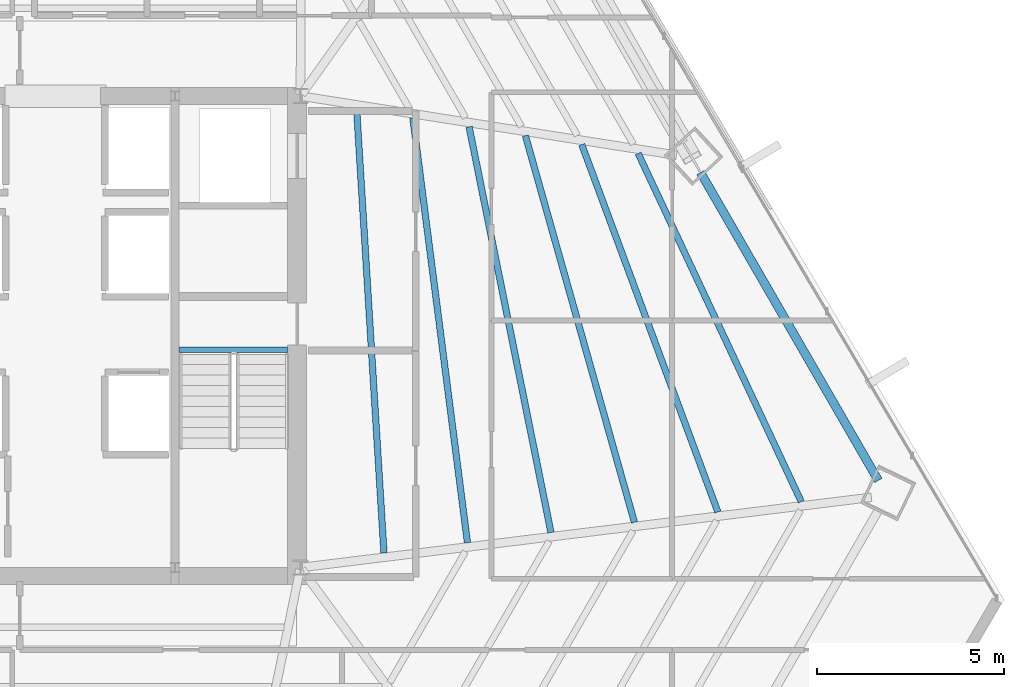
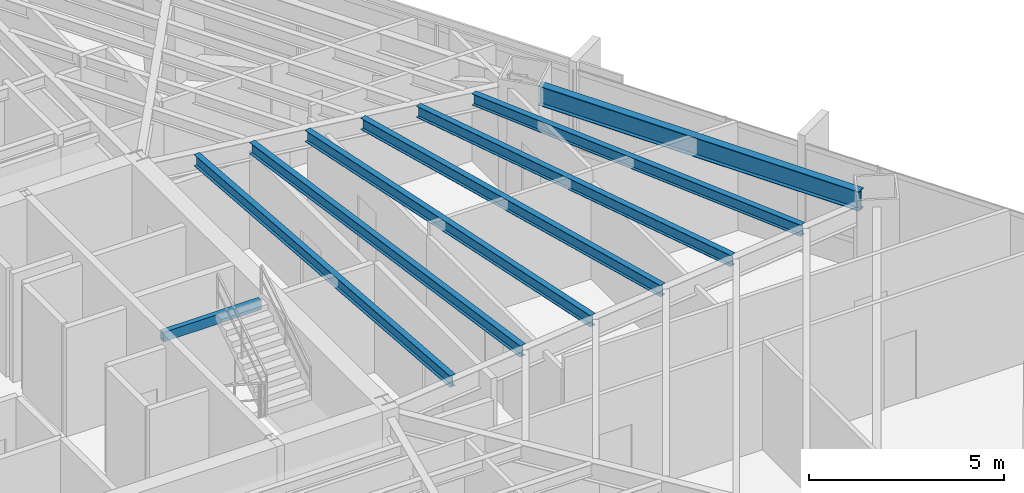
# One storey, part 21 of 35: 8 beams.
"""IFC4 building model written with IfcOpenShell, lengths in metres."""

from ifc_helpers import new_model, si_unit, direction, frame, origin, origin_2d, place, context, subcontext, project, spatial, hollow_rectangle, i_section, extrude, source, transform, mapped, material, material_profile, profile_set, type_object, type_shapes, element, save


model = new_model("IFC4")

# Units and contexts
model_context = context("Model", 3, precision=1e-05, world=origin(), true_north=direction((0.0, 1.0)))
body_context = subcontext(model_context, "Body", "Model", "MODEL_VIEW")
ifc_project = project(units=[si_unit("LENGTHUNIT", "METRE"), si_unit("AREAUNIT", "SQUARE_METRE"), si_unit("VOLUMEUNIT", "CUBIC_METRE"), si_unit("PLANEANGLEUNIT", "RADIAN"), si_unit("MASSUNIT", "GRAM", prefix="KILO")], contexts=[model_context])

# Site, building, storey
site_placement = place(None, origin())
site = spatial("IfcSite", under=ifc_project, at=site_placement, CompositionType="ELEMENT")
building_placement = place(site_placement, origin())
building = spatial("IfcBuilding", under=site, at=building_placement, Name="Caelisora Broadcast Tower", CompositionType="ELEMENT")
storey_placement = place(building_placement, frame((0.0, 0.0, 98.10009765625)))
storey = spatial("IfcBuildingStorey", under=building, at=storey_placement, Name="L25", CompositionType="ELEMENT", Elevation=98.10009765625)

# Beams
ifc_material_1 = material(Name="Steel Grade 350 (AS/NZS 1163 C350L0)", Category="steel")
ifc_material_profile_1 = material_profile(ifc_material_1, hollow_rectangle(XDim=0.14990234375, YDim=0.300048828125, WallThickness=0.010009765625, at=origin_2d()), Name="Steel Grade 350 (AS/NZS 1163 C350L0)")
ifc_profile_set_1 = profile_set([ifc_material_profile_1], Name="Steel Grade 350 (AS/NZS 1163 C350L0)")
beam_type_1 = type_object("IfcBeamType", Name="SB05", PredefinedType="JOIST", material=ifc_profile_set_1)
shared_shape_1 = source(origin(), body_context, "Body", "SweptSolid", [
    extrude(hollow_rectangle(XDim=0.14990234375, YDim=0.300048828125, WallThickness=0.010009765625, at=origin_2d()), origin(), (0.0, 0.0, 1.0), 2.89990234375),
])
type_shapes(beam_type_1, [shared_shape_1])
beam_1_placement = place(storey_placement, frame((42.260009765625, 23.219970703125, 3.25), z_axis=(1.0, 0.0, 0.0), x_axis=(0.0, 1.0, 0.0)))
element("IfcBeam", 1, at=beam_1_placement, inside=storey, type_object=beam_type_1, Name="L25 beam SB05", PredefinedType="JOIST", context=body_context, shape_type="MappedRepresentation", body=[
    mapped(shared_shape_1, transform((0.0, 0.0, 0.0), scale=1.0)),
])
ifc_material_2 = material(Name="Steel Grade 350 (AS/NZS 3679.1)", Category="steel")
ifc_material_profile_2 = material_profile(ifc_material_2, i_section(OverallWidth=0.22900390625, OverallDepth=0.611572265625, WebThickness=0.011962890625, FlangeThickness=0.01953125, at=origin_2d()), Name="Steel Grade 350 (AS/NZS 3679.1)")
ifc_profile_set_2 = profile_set([ifc_material_profile_2], Name="Steel Grade 350 (AS/NZS 3679.1)")
beam_type_2 = type_object("IfcBeamType", Name="PG03", PredefinedType="BEAM", material=ifc_profile_set_2)
shared_shape_2 = source(origin(), body_context, "Body", "SweptSolid", [
    extrude(i_section(OverallWidth=0.22900390625, OverallDepth=0.611572265625, WebThickness=0.011962890625, FlangeThickness=0.01953125, at=origin_2d()), origin(), (0.0, 0.0, 1.0), 9.500732421875),
])
type_shapes(beam_type_2, [shared_shape_2])
beam_2_placement = place(storey_placement, frame((60.94140625, 19.727294921875, 3.093994140625), z_axis=(-0.500013848956, 0.866017407938, 0.0), x_axis=(-0.866017407938, -0.500013848956, 0.0)))
element("IfcBeam", 2, at=beam_2_placement, inside=storey, type_object=beam_type_2, Name="L25 beam PG03", PredefinedType="BEAM", context=body_context, shape_type="MappedRepresentation", body=[
    mapped(shared_shape_2, transform((0.0, 0.0, 0.0), scale=1.0)),
])
ifc_material_profile_3 = material_profile(ifc_material_2, i_section(OverallWidth=0.172119140625, OverallDepth=0.358642578125, WebThickness=0.008056640625, FlangeThickness=0.012939453125, at=origin_2d()), Name="Steel Grade 350 (AS/NZS 3679.1)")
ifc_profile_set_3 = profile_set([ifc_material_profile_3], Name="Steel Grade 350 (AS/NZS 3679.1)")
beam_type_3 = type_object("IfcBeamType", Name="SB02", PredefinedType="JOIST", material=ifc_profile_set_3)
shared_shape_3 = source(origin(), body_context, "Body", "SweptSolid", [
    extrude(i_section(OverallWidth=0.172119140625, OverallDepth=0.358642578125, WebThickness=0.008056640625, FlangeThickness=0.012939453125, at=origin_2d()), origin(), (0.0, 0.0, 1.0), 11.886962890625),
])
beam_3_placement = place(storey_placement, frame((47.73193359375, 17.78662109375, 3.220703125), z_axis=(-0.061451229115, 0.998110087335, 0.0), x_axis=(-0.998110087335, -0.061451229115, 0.0)))
element("IfcBeam", 3, at=beam_3_placement, inside=storey, type_object=beam_type_3, Name="L25 beam SB02", PredefinedType="JOIST", context=body_context, shape_type="MappedRepresentation", body=[
    mapped(shared_shape_3, transform((0.0, 0.0, 0.0), scale=1.0)),
])
shared_shape_4 = source(origin(), body_context, "Body", "SweptSolid", [
    extrude(i_section(OverallWidth=0.172119140625, OverallDepth=0.358642578125, WebThickness=0.008056640625, FlangeThickness=0.012939453125, at=origin_2d()), origin(), (0.0, 0.0, 1.0), 11.447021484375),
])
beam_4_placement = place(storey_placement, frame((49.96337890625, 18.061279296875, 3.220703125), z_axis=(-0.127519944156, 0.991836006527, 0.0), x_axis=(-0.991836006527, -0.127519944156, 0.0)))
element("IfcBeam", 4, at=beam_4_placement, inside=storey, type_object=beam_type_3, Name="L25 beam SB02", PredefinedType="JOIST", context=body_context, shape_type="MappedRepresentation", body=[
    mapped(shared_shape_4, transform((0.0, 0.0, 0.0), scale=1.0)),
])
shared_shape_5 = source(origin(), body_context, "Body", "SweptSolid", [
    extrude(i_section(OverallWidth=0.172119140625, OverallDepth=0.358642578125, WebThickness=0.008056640625, FlangeThickness=0.012939453125, at=origin_2d()), origin(), (0.0, 0.0, 1.0), 11.060791015625),
])
beam_5_placement = place(storey_placement, frame((52.1943359375, 18.335693359375, 3.220703125), z_axis=(-0.197792516663, 0.980243908602, 0.0), x_axis=(-0.980243908602, -0.197792516663, 0.0)))
element("IfcBeam", 5, at=beam_5_placement, inside=storey, type_object=beam_type_3, Name="L25 beam SB02", PredefinedType="JOIST", context=body_context, shape_type="MappedRepresentation", body=[
    mapped(shared_shape_5, transform((0.0, 0.0, 0.0), scale=1.0)),
])
shared_shape_6 = source(origin(), body_context, "Body", "SweptSolid", [
    extrude(i_section(OverallWidth=0.172119140625, OverallDepth=0.358642578125, WebThickness=0.008056640625, FlangeThickness=0.012939453125, at=origin_2d()), origin(), (0.0, 0.0, 1.0), 10.73388671875),
])
beam_6_placement = place(storey_placement, frame((54.424560546875, 18.6103515625, 3.220703125), z_axis=(-0.271439096029, 0.962455618274, 0.0), x_axis=(-0.962455618274, -0.271439096029, 0.0)))
element("IfcBeam", 6, at=beam_6_placement, inside=storey, type_object=beam_type_3, Name="L25 beam SB02", PredefinedType="JOIST", context=body_context, shape_type="MappedRepresentation", body=[
    mapped(shared_shape_6, transform((0.0, 0.0, 0.0), scale=1.0)),
])
shared_shape_7 = source(origin(), body_context, "Body", "SweptSolid", [
    extrude(i_section(OverallWidth=0.172119140625, OverallDepth=0.358642578125, WebThickness=0.008056640625, FlangeThickness=0.012939453125, at=origin_2d()), origin(), (0.0, 0.0, 1.0), 10.471435546875),
])
beam_7_placement = place(storey_placement, frame((56.654052734375, 18.884765625, 3.220703125), z_axis=(-0.347390289448, 0.937720633663, 0.0), x_axis=(-0.937720633663, -0.347390289448, 0.0)))
element("IfcBeam", 7, at=beam_7_placement, inside=storey, type_object=beam_type_3, Name="L25 beam SB02", PredefinedType="JOIST", context=body_context, shape_type="MappedRepresentation", body=[
    mapped(shared_shape_7, transform((0.0, 0.0, 0.0), scale=1.0)),
])
shared_shape_8 = source(origin(), body_context, "Body", "SweptSolid", [
    extrude(i_section(OverallWidth=0.172119140625, OverallDepth=0.358642578125, WebThickness=0.008056640625, FlangeThickness=0.012939453125, at=origin_2d()), origin(), (0.0, 0.0, 1.0), 10.27783203125),
])
type_shapes(beam_type_3, [shared_shape_3, shared_shape_4, shared_shape_5, shared_shape_6, shared_shape_7, shared_shape_8])
beam_8_placement = place(storey_placement, frame((58.883056640625, 19.1591796875, 3.220703125), z_axis=(-0.424149037057, 0.905592399683, 0.0), x_axis=(-0.905592399683, -0.424149037057, 0.0)))
element("IfcBeam", 8, at=beam_8_placement, inside=storey, type_object=beam_type_3, Name="L25 beam SB02", PredefinedType="JOIST", context=body_context, shape_type="MappedRepresentation", body=[
    mapped(shared_shape_8, transform((0.0, 0.0, 0.0), scale=1.0)),
])

save(model, "model.ifc")
